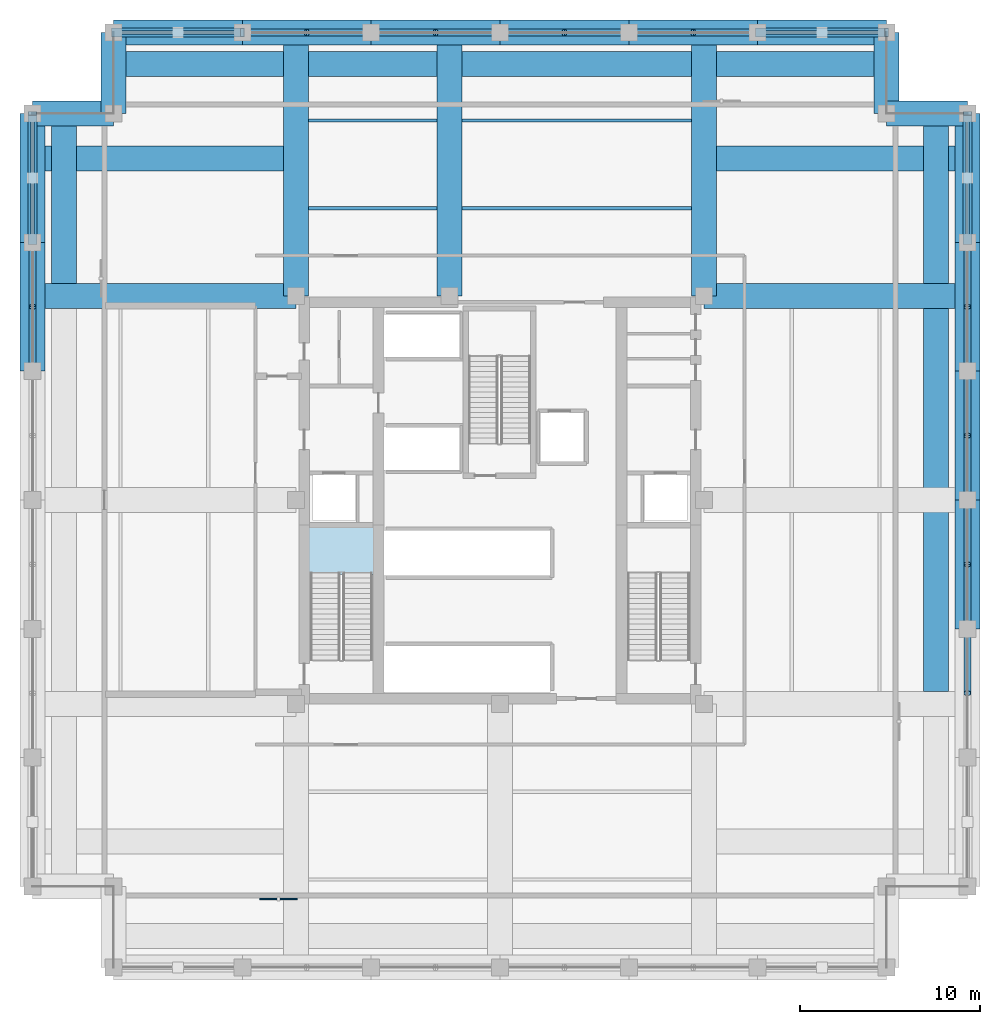
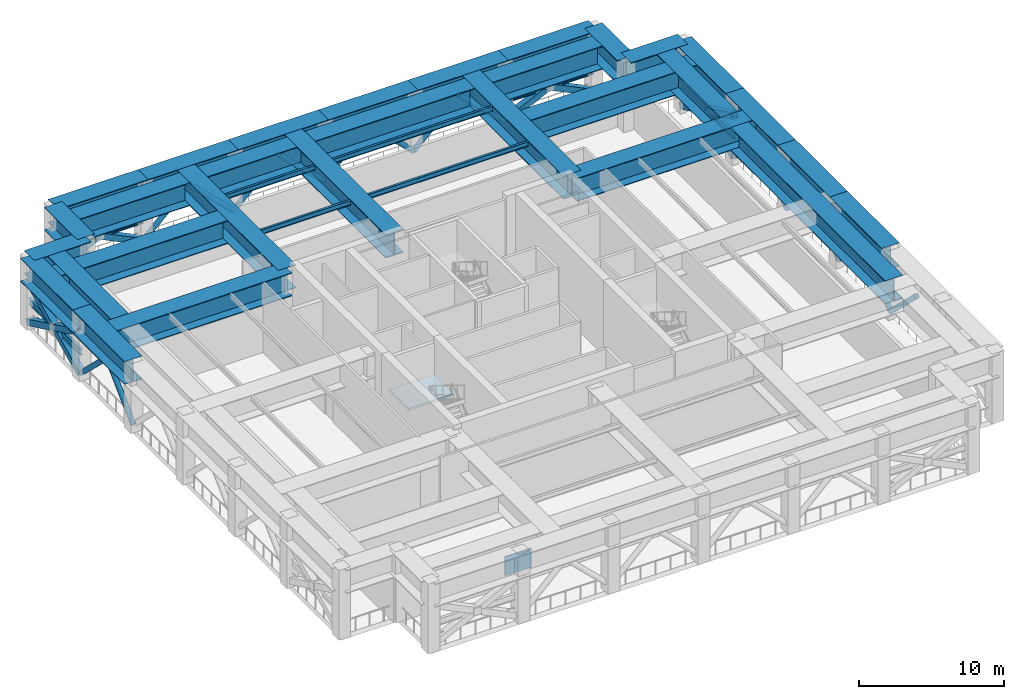
# One storey, part 2 of 12: 37 beams, 29 members, 1 plate, 1 slab, 1 element without a shape of its own.
"""IFC4 building model written with IfcOpenShell, lengths in metres."""

from ifc_helpers import new_model, si_unit, direction, frame, origin, origin_2d, place, context, subcontext, project, spatial, polyline, rectangle, hollow_rectangle, hollow_circle, i_section, outline, extrude, material, layer, layer_set, material_profile, profile_set, type_object, element, aggregate, save


model = new_model("IFC4")

# Units and contexts
model_context = context("Model", 3, precision=1e-05, world=origin(), true_north=direction((0.0, 1.0)))
body_context = subcontext(model_context, "Body", "Model", "MODEL_VIEW")
ifc_project = project(units=[si_unit("LENGTHUNIT", "METRE"), si_unit("AREAUNIT", "SQUARE_METRE"), si_unit("VOLUMEUNIT", "CUBIC_METRE"), si_unit("PLANEANGLEUNIT", "RADIAN"), si_unit("MASSUNIT", "GRAM", prefix="KILO")], contexts=[model_context])

# Site, building, storey
site_placement = place(None, origin())
site = spatial("IfcSite", under=ifc_project, at=site_placement, CompositionType="ELEMENT")
building_placement = place(site_placement, origin())
building = spatial("IfcBuilding", under=site, at=building_placement, Name="Nhamokura Convention Tower", CompositionType="ELEMENT")
storey_placement = place(building_placement, frame((0.0, 0.0, 176.050048828125)))
storey = spatial("IfcBuildingStorey", under=building, at=storey_placement, Name="L43", CompositionType="ELEMENT", Elevation=176.050048828125)

# Beams
ifc_material_1 = material(Name="Steel ASTM A992 Gr 50", Category="steel")
ifc_material_profile_1 = material_profile(ifc_material_1, i_section(OverallWidth=0.177001953125, OverallDepth=0.403076171875, WebThickness=0.007568359375, FlangeThickness=0.010986328125, at=origin_2d()))
ifc_profile_set_1 = profile_set([ifc_material_profile_1], Name="Steel ASTM A992 Gr 50")
beam_type_1 = type_object("IfcBeamType", Name="FloorJoist_W410X53", PredefinedType="JOIST", material=ifc_profile_set_1)
beam_1_placement = place(storey_placement, frame((21.347900390625, 48.2333984375, 5.678466796875), z_axis=(1.0, 0.0, 0.0), x_axis=(0.0, 1.0, 0.0)))
element("IfcBeam", 1, at=beam_1_placement, inside=storey, type_object=beam_type_1, Name="L43 Composite Floor Joist N1A", PredefinedType="JOIST", context=body_context, shape_type="SweptSolid", body=[
    extrude(i_section(OverallWidth=0.177001953125, OverallDepth=0.403076171875, WebThickness=0.007568359375, FlangeThickness=0.010986328125, at=origin_2d()), origin(), (0.0, 0.0, 1.0), 7.154052734375),
])
beam_2_placement = place(storey_placement, frame((29.89794921875, 48.2333984375, 5.678466796875), z_axis=(1.0, 0.0, 0.0), x_axis=(0.0, 1.0, 0.0)))
element("IfcBeam", 2, at=beam_2_placement, inside=storey, type_object=beam_type_1, Name="L43 Composite Floor Joist N1B", PredefinedType="JOIST", context=body_context, shape_type="SweptSolid", body=[
    extrude(i_section(OverallWidth=0.177001953125, OverallDepth=0.403076171875, WebThickness=0.007568359375, FlangeThickness=0.010986328125, at=origin_2d()), origin(), (0.0, 0.0, 1.0), 12.754150390625),
])
beam_3_placement = place(storey_placement, frame((21.347900390625, 53.11669921875, 5.678466796875), z_axis=(1.0, 0.0, 0.0), x_axis=(0.0, 1.0, 0.0)))
element("IfcBeam", 3, at=beam_3_placement, inside=storey, type_object=beam_type_1, Name="L43 Composite Floor Joist N2A", PredefinedType="JOIST", context=body_context, shape_type="SweptSolid", body=[
    extrude(i_section(OverallWidth=0.177001953125, OverallDepth=0.403076171875, WebThickness=0.007568359375, FlangeThickness=0.010986328125, at=origin_2d()), origin(), (0.0, 0.0, 1.0), 7.154052734375),
])
beam_4_placement = place(storey_placement, frame((29.89794921875, 53.11669921875, 5.678466796875), z_axis=(1.0, 0.0, 0.0), x_axis=(0.0, 1.0, 0.0)))
element("IfcBeam", 4, at=beam_4_placement, inside=storey, type_object=beam_type_1, Name="L43 Composite Floor Joist N2B", PredefinedType="JOIST", context=body_context, shape_type="SweptSolid", body=[
    extrude(i_section(OverallWidth=0.177001953125, OverallDepth=0.403076171875, WebThickness=0.007568359375, FlangeThickness=0.010986328125, at=origin_2d()), origin(), (0.0, 0.0, 1.0), 12.754150390625),
])

# Members
ifc_material_2 = material(Name="Steel ASTM A572 Gr 50", Category="steel")
ifc_material_profile_2 = material_profile(ifc_material_2, hollow_rectangle(XDim=0.5, YDim=0.5, WallThickness=0.02490234375, at=origin_2d()))
ifc_profile_set_2 = profile_set([ifc_material_profile_2], Name="Steel ASTM A572 Gr 50")
member_type_1 = type_object("IfcMemberType", Name="OutriggerBrace_HSS500", PredefinedType="BRACE", material=ifc_profile_set_2)
member_1_placement = place(storey_placement, frame((10.5, 58.0, 0.349853515625), z_axis=(0.899558045543, 0.0, 0.436801239352), x_axis=(0.0, 1.0, 0.0)))
element("IfcMember", 5, at=member_1_placement, inside=storey, type_object=member_type_1, Name="L43 Continuous Outrigger Diagonal OUT-N0-1", PredefinedType="BRACE", context=body_context, shape_type="SweptSolid", body=[
    extrude(hollow_rectangle(XDim=0.5, YDim=0.5, WallThickness=0.02490234375, at=origin_2d()), origin(), (0.0, 0.0, 1.0), 7.967041015625),
])
member_2_placement = place(storey_placement, frame((10.5, 58.0, 3.829833984375), z_axis=(0.899552198547, 0.0, -0.436813280578), x_axis=(0.0, 1.0, 0.0)))
element("IfcMember", 6, at=member_2_placement, inside=storey, type_object=member_type_1, Name="L43 Split Outrigger Diagonal OUT-N0-2A", PredefinedType="BRACE", context=body_context, shape_type="SweptSolid", body=[
    extrude(hollow_rectangle(XDim=0.5, YDim=0.5, WallThickness=0.02490234375, at=origin_2d()), origin(), (0.0, 0.0, 1.0), 3.9833984375),
])
member_3_placement = place(storey_placement, frame((14.083251953125, 58.0, 2.08984375), z_axis=(0.899563892055, 0.0, -0.436789198711), x_axis=(0.0, 1.0, 0.0)))
element("IfcMember", 7, at=member_3_placement, inside=storey, type_object=member_type_1, Name="L43 Split Outrigger Diagonal OUT-N0-2B", PredefinedType="BRACE", context=body_context, shape_type="SweptSolid", body=[
    extrude(hollow_rectangle(XDim=0.5, YDim=0.5, WallThickness=0.02490234375, at=origin_2d()), origin(), (0.0, 0.0, 1.0), 3.983642578125),
])
member_4_placement = place(storey_placement, frame((46.333251953125, 58.0, 0.349853515625), z_axis=(0.899558045543, 0.0, 0.436801239352), x_axis=(0.0, 1.0, 0.0)))
element("IfcMember", 8, at=member_4_placement, inside=storey, type_object=member_type_1, Name="L43 Continuous Outrigger Diagonal OUT-N5-1", PredefinedType="BRACE", context=body_context, shape_type="SweptSolid", body=[
    extrude(hollow_rectangle(XDim=0.5, YDim=0.5, WallThickness=0.02490234375, at=origin_2d()), origin(), (0.0, 0.0, 1.0), 7.967041015625),
])
member_5_placement = place(storey_placement, frame((46.333251953125, 58.0, 3.829833984375), z_axis=(0.899563892055, 0.0, -0.436789198711), x_axis=(0.0, 1.0, 0.0)))
element("IfcMember", 9, at=member_5_placement, inside=storey, type_object=member_type_1, Name="L43 Split Outrigger Diagonal OUT-N5-2A", PredefinedType="BRACE", context=body_context, shape_type="SweptSolid", body=[
    extrude(hollow_rectangle(XDim=0.5, YDim=0.5, WallThickness=0.02490234375, at=origin_2d()), origin(), (0.0, 0.0, 1.0), 3.983642578125),
])
member_6_placement = place(storey_placement, frame((49.916748046875, 58.0, 2.08984375), z_axis=(0.899552198547, 0.0, -0.436813280578), x_axis=(0.0, 1.0, 0.0)))
element("IfcMember", 10, at=member_6_placement, inside=storey, type_object=member_type_1, Name="L43 Split Outrigger Diagonal OUT-N5-2B", PredefinedType="BRACE", context=body_context, shape_type="SweptSolid", body=[
    extrude(hollow_rectangle(XDim=0.5, YDim=0.5, WallThickness=0.02490234375, at=origin_2d()), origin(), (0.0, 0.0, 1.0), 3.9833984375),
])
member_7_placement = place(storey_placement, frame((6.0, 46.333251953125, 0.349853515625), z_axis=(0.0, 0.899558045543, 0.436801239352), x_axis=(-1.0, 0.0, 0.0)))
element("IfcMember", 11, at=member_7_placement, inside=storey, type_object=member_type_1, Name="L43 Continuous Outrigger Diagonal OUT-W5-1", PredefinedType="BRACE", context=body_context, shape_type="SweptSolid", body=[
    extrude(hollow_rectangle(XDim=0.5, YDim=0.5, WallThickness=0.02490234375, at=origin_2d()), origin(), (0.0, 0.0, 1.0), 7.967041015625),
])
member_8_placement = place(storey_placement, frame((6.0, 46.333251953125, 3.829833984375), z_axis=(0.0, 0.899563892055, -0.436789198711), x_axis=(-1.0, 0.0, 0.0)))
element("IfcMember", 12, at=member_8_placement, inside=storey, type_object=member_type_1, Name="L43 Split Outrigger Diagonal OUT-W5-2A", PredefinedType="BRACE", context=body_context, shape_type="SweptSolid", body=[
    extrude(hollow_rectangle(XDim=0.5, YDim=0.5, WallThickness=0.02490234375, at=origin_2d()), origin(), (0.0, 0.0, 1.0), 3.983642578125),
])
member_9_placement = place(storey_placement, frame((6.0, 49.916748046875, 2.08984375), z_axis=(0.0, 0.899552198547, -0.436813280578), x_axis=(-1.0, 0.0, 0.0)))
element("IfcMember", 13, at=member_9_placement, inside=storey, type_object=member_type_1, Name="L43 Split Outrigger Diagonal OUT-W5-2B", PredefinedType="BRACE", context=body_context, shape_type="SweptSolid", body=[
    extrude(hollow_rectangle(XDim=0.5, YDim=0.5, WallThickness=0.02490234375, at=origin_2d()), origin(), (0.0, 0.0, 1.0), 3.9833984375),
])
member_10_placement = place(storey_placement, frame((58.0, 46.333251953125, 0.349853515625), z_axis=(0.0, 0.899558045543, 0.436801239352), x_axis=(-1.0, 0.0, 0.0)))
element("IfcMember", 14, at=member_10_placement, inside=storey, type_object=member_type_1, Name="L43 Continuous Outrigger Diagonal OUT-E5-1", PredefinedType="BRACE", context=body_context, shape_type="SweptSolid", body=[
    extrude(hollow_rectangle(XDim=0.5, YDim=0.5, WallThickness=0.02490234375, at=origin_2d()), origin(), (0.0, 0.0, 1.0), 7.967041015625),
])
member_11_placement = place(storey_placement, frame((58.0, 46.333251953125, 3.829833984375), z_axis=(0.0, 0.899563892055, -0.436789198711), x_axis=(-1.0, 0.0, 0.0)))
element("IfcMember", 15, at=member_11_placement, inside=storey, type_object=member_type_1, Name="L43 Split Outrigger Diagonal OUT-E5-2A", PredefinedType="BRACE", context=body_context, shape_type="SweptSolid", body=[
    extrude(hollow_rectangle(XDim=0.5, YDim=0.5, WallThickness=0.02490234375, at=origin_2d()), origin(), (0.0, 0.0, 1.0), 3.983642578125),
])
member_12_placement = place(storey_placement, frame((58.0, 49.916748046875, 2.08984375), z_axis=(0.0, 0.899552198547, -0.436813280578), x_axis=(-1.0, 0.0, 0.0)))
element("IfcMember", 16, at=member_12_placement, inside=storey, type_object=member_type_1, Name="L43 Split Outrigger Diagonal OUT-E5-2B", PredefinedType="BRACE", context=body_context, shape_type="SweptSolid", body=[
    extrude(hollow_rectangle(XDim=0.5, YDim=0.5, WallThickness=0.02490234375, at=origin_2d()), origin(), (0.0, 0.0, 1.0), 3.9833984375),
])

# Beams
ifc_material_3 = material(Name="Steel ASTM A992 Gr 50", Category="steel")
ifc_material_profile_3 = material_profile(ifc_material_3, i_section(OverallWidth=0.208984375, OverallDepth=0.532958984375, WebThickness=0.01025390625, FlangeThickness=0.015625, at=origin_2d()))
ifc_profile_set_3 = profile_set([ifc_material_profile_3], Name="Steel ASTM A992 Gr 50")
beam_type_2 = type_object("IfcBeamType", Name="PrimaryGirder_W530X92", PredefinedType="BEAM", material=ifc_profile_set_3)
for number, where, z_axis, x_axis, name in (
    (17, (10.5, 58.0, 2.08984375), (1.0, 0.0, 0.0), (0.0, 1.0, 0.0), "L43 Outrigger X-Brace Node Tie Beam OUT-N0"),
    (18, (46.333251953125, 58.0, 2.08984375), (1.0, 0.0, 0.0), (0.0, 1.0, 0.0), "L43 Outrigger X-Brace Node Tie Beam OUT-N5"),
    (19, (6.0, 46.333251953125, 2.08984375), (0.0, 1.0, 0.0), (-1.0, 0.0, 0.0), "L43 Outrigger X-Brace Node Tie Beam OUT-W5"),
    (20, (58.0, 46.333251953125, 2.08984375), (0.0, 1.0, 0.0), (-1.0, 0.0, 0.0), "L43 Outrigger X-Brace Node Tie Beam OUT-E5"),
):
    element("IfcBeam", number, at=place(storey_placement, frame(where, z_axis=z_axis, x_axis=x_axis)), inside=storey, type_object=beam_type_2, Name=name, PredefinedType="BEAM", context=body_context, shape_type="SweptSolid", body=[
        extrude(i_section(OverallWidth=0.208984375, OverallDepth=0.532958984375, WebThickness=0.01025390625, FlangeThickness=0.015625, at=origin_2d()), origin(), (0.0, 0.0, 1.0), 7.166748046875),
    ])
ifc_material_4 = material(Name="Steel ASTM A572 Gr 50", Category="steel")
ifc_material_profile_4 = material_profile(ifc_material_4, i_section(OverallWidth=1.39990234375, OverallDepth=1.9599609375, WebThickness=0.054931640625, FlangeThickness=0.06005859375, at=origin_2d()))
ifc_profile_set_4 = profile_set([ifc_material_profile_4], Name="Steel ASTM A572 Gr 50")
beam_type_3 = type_object("IfcBeamType", Name="TransferGirder_2000", PredefinedType="USERDEFINED", material=ifc_profile_set_4)
beam_5_placement = place(storey_placement, frame((10.5, 58.0, 4.89990234375), z_axis=(1.0, 0.0, 0.0), x_axis=(0.0, 1.0, 0.0)))
element("IfcBeam", 21, at=beam_5_placement, inside=storey, type_object=beam_type_3, Name="L43 Perimeter Transfer Spandrel NORTH 1", ObjectType="TRANSFER_GIRDER", PredefinedType="USERDEFINED", context=body_context, shape_type="SweptSolid", body=[
    extrude(i_section(OverallWidth=1.39990234375, OverallDepth=1.9599609375, WebThickness=0.054931640625, FlangeThickness=0.06005859375, at=origin_2d()), origin(), (0.0, 0.0, 1.0), 7.166748046875),
])
beam_6_placement = place(storey_placement, frame((17.666748046875, 58.0, 4.89990234375), z_axis=(1.0, 0.0, 0.0), x_axis=(0.0, 1.0, 0.0)))
element("IfcBeam", 22, at=beam_6_placement, inside=storey, type_object=beam_type_3, Name="L43 Perimeter Transfer Spandrel NORTH 2", ObjectType="TRANSFER_GIRDER", PredefinedType="USERDEFINED", context=body_context, shape_type="SweptSolid", body=[
    extrude(i_section(OverallWidth=1.39990234375, OverallDepth=1.9599609375, WebThickness=0.054931640625, FlangeThickness=0.06005859375, at=origin_2d()), origin(), (0.0, 0.0, 1.0), 7.16650390625),
])
for number, where, z_axis, x_axis, name in (
    (23, (24.833251953125, 58.0, 4.89990234375), (1.0, 0.0, 0.0), (0.0, 1.0, 0.0), "L43 Perimeter Transfer Spandrel NORTH 3"),
    (24, (32.0, 58.0, 4.89990234375), (1.0, 0.0, 0.0), (0.0, 1.0, 0.0), "L43 Perimeter Transfer Spandrel NORTH 4"),
):
    element("IfcBeam", number, at=place(storey_placement, frame(where, z_axis=z_axis, x_axis=x_axis)), inside=storey, type_object=beam_type_3, Name=name, ObjectType="TRANSFER_GIRDER", PredefinedType="USERDEFINED", context=body_context, shape_type="SweptSolid", body=[
        extrude(i_section(OverallWidth=1.39990234375, OverallDepth=1.9599609375, WebThickness=0.054931640625, FlangeThickness=0.06005859375, at=origin_2d()), origin(), (0.0, 0.0, 1.0), 7.166748046875),
    ])
beam_7_placement = place(storey_placement, frame((39.166748046875, 58.0, 4.89990234375), z_axis=(1.0, 0.0, 0.0), x_axis=(0.0, 1.0, 0.0)))
element("IfcBeam", 25, at=beam_7_placement, inside=storey, type_object=beam_type_3, Name="L43 Perimeter Transfer Spandrel NORTH 5", ObjectType="TRANSFER_GIRDER", PredefinedType="USERDEFINED", context=body_context, shape_type="SweptSolid", body=[
    extrude(i_section(OverallWidth=1.39990234375, OverallDepth=1.9599609375, WebThickness=0.054931640625, FlangeThickness=0.06005859375, at=origin_2d()), origin(), (0.0, 0.0, 1.0), 7.16650390625),
])
beam_8_placement = place(storey_placement, frame((46.333251953125, 58.0, 4.89990234375), z_axis=(1.0, 0.0, 0.0), x_axis=(0.0, 1.0, 0.0)))
element("IfcBeam", 26, at=beam_8_placement, inside=storey, type_object=beam_type_3, Name="L43 Perimeter Transfer Spandrel NORTH 6", ObjectType="TRANSFER_GIRDER", PredefinedType="USERDEFINED", context=body_context, shape_type="SweptSolid", body=[
    extrude(i_section(OverallWidth=1.39990234375, OverallDepth=1.9599609375, WebThickness=0.054931640625, FlangeThickness=0.06005859375, at=origin_2d()), origin(), (0.0, 0.0, 1.0), 7.166748046875),
])
beam_9_placement = place(storey_placement, frame((6.0, 39.166748046875, 4.89990234375), z_axis=(0.0, 1.0, 0.0), x_axis=(-1.0, 0.0, 0.0)))
element("IfcBeam", 27, at=beam_9_placement, inside=storey, type_object=beam_type_3, Name="L43 Perimeter Transfer Spandrel WEST 5", ObjectType="TRANSFER_GIRDER", PredefinedType="USERDEFINED", context=body_context, shape_type="SweptSolid", body=[
    extrude(i_section(OverallWidth=1.39990234375, OverallDepth=1.9599609375, WebThickness=0.054931640625, FlangeThickness=0.06005859375, at=origin_2d()), origin(), (0.0, 0.0, 1.0), 7.16650390625),
])
for number, where, z_axis, x_axis, name in (
    (28, (6.0, 46.333251953125, 4.89990234375), (0.0, 1.0, 0.0), (-1.0, 0.0, 0.0), "L43 Perimeter Transfer Spandrel WEST 6"),
    (29, (58.0, 24.833251953125, 4.89990234375), (0.0, 1.0, 0.0), (-1.0, 0.0, 0.0), "L43 Perimeter Transfer Spandrel EAST 3"),
    (30, (58.0, 32.0, 4.89990234375), (0.0, 1.0, 0.0), (-1.0, 0.0, 0.0), "L43 Perimeter Transfer Spandrel EAST 4"),
):
    element("IfcBeam", number, at=place(storey_placement, frame(where, z_axis=z_axis, x_axis=x_axis)), inside=storey, type_object=beam_type_3, Name=name, ObjectType="TRANSFER_GIRDER", PredefinedType="USERDEFINED", context=body_context, shape_type="SweptSolid", body=[
        extrude(i_section(OverallWidth=1.39990234375, OverallDepth=1.9599609375, WebThickness=0.054931640625, FlangeThickness=0.06005859375, at=origin_2d()), origin(), (0.0, 0.0, 1.0), 7.166748046875),
    ])
beam_10_placement = place(storey_placement, frame((58.0, 39.166748046875, 4.89990234375), z_axis=(0.0, 1.0, 0.0), x_axis=(-1.0, 0.0, 0.0)))
element("IfcBeam", 31, at=beam_10_placement, inside=storey, type_object=beam_type_3, Name="L43 Perimeter Transfer Spandrel EAST 5", ObjectType="TRANSFER_GIRDER", PredefinedType="USERDEFINED", context=body_context, shape_type="SweptSolid", body=[
    extrude(i_section(OverallWidth=1.39990234375, OverallDepth=1.9599609375, WebThickness=0.054931640625, FlangeThickness=0.06005859375, at=origin_2d()), origin(), (0.0, 0.0, 1.0), 7.16650390625),
])
beam_11_placement = place(storey_placement, frame((58.0, 46.333251953125, 4.89990234375), z_axis=(0.0, 1.0, 0.0), x_axis=(-1.0, 0.0, 0.0)))
element("IfcBeam", 32, at=beam_11_placement, inside=storey, type_object=beam_type_3, Name="L43 Perimeter Transfer Spandrel EAST 6", ObjectType="TRANSFER_GIRDER", PredefinedType="USERDEFINED", context=body_context, shape_type="SweptSolid", body=[
    extrude(i_section(OverallWidth=1.39990234375, OverallDepth=1.9599609375, WebThickness=0.054931640625, FlangeThickness=0.06005859375, at=origin_2d()), origin(), (0.0, 0.0, 1.0), 7.166748046875),
])
for number, where, z_axis, x_axis, name in (
    (33, (58.0, 53.5, 4.89990234375), (-1.0, 0.0, 0.0), (0.0, -1.0, 0.0), "L43 Notch Transfer Spandrel NE1"),
    (34, (53.5, 53.5, 4.89990234375), (0.0, 1.0, 0.0), (-1.0, 0.0, 0.0), "L43 Notch Transfer Spandrel NE2"),
    (35, (10.5, 58.0, 4.89990234375), (0.0, -1.0, 0.0), (1.0, 0.0, 0.0), "L43 Notch Transfer Spandrel NW1"),
    (36, (10.5, 53.5, 4.89990234375), (-1.0, 0.0, 0.0), (0.0, -1.0, 0.0), "L43 Notch Transfer Spandrel NW2"),
):
    element("IfcBeam", number, at=place(storey_placement, frame(where, z_axis=z_axis, x_axis=x_axis)), inside=storey, type_object=beam_type_3, Name=name, ObjectType="TRANSFER_GIRDER", PredefinedType="USERDEFINED", context=body_context, shape_type="SweptSolid", body=[
        extrude(i_section(OverallWidth=1.39990234375, OverallDepth=1.9599609375, WebThickness=0.054931640625, FlangeThickness=0.06005859375, at=origin_2d()), origin(), (0.0, 0.0, 1.0), 4.5),
    ])
beam_12_placement = place(storey_placement, frame((11.197998046875, 56.25, 4.89990234375), z_axis=(1.0, 0.0, 0.0), x_axis=(0.0, 1.0, 0.0)))
element("IfcBeam", 37, at=beam_12_placement, inside=storey, type_object=beam_type_3, Name="L43 Upper-Line Transfer Girder TGU-NW", ObjectType="TRANSFER_GIRDER", PredefinedType="USERDEFINED", context=body_context, shape_type="SweptSolid", body=[
    extrude(i_section(OverallWidth=1.39990234375, OverallDepth=1.9599609375, WebThickness=0.054931640625, FlangeThickness=0.06005859375, at=origin_2d()), origin(), (0.0, 0.0, 1.0), 8.75390625),
])
beam_13_placement = place(storey_placement, frame((21.347900390625, 56.25, 4.89990234375), z_axis=(1.0, 0.0, 0.0), x_axis=(0.0, 1.0, 0.0)))
element("IfcBeam", 38, at=beam_13_placement, inside=storey, type_object=beam_type_3, Name="L43 Upper-Line Transfer Girder TGU-NM", ObjectType="TRANSFER_GIRDER", PredefinedType="USERDEFINED", context=body_context, shape_type="SweptSolid", body=[
    extrude(i_section(OverallWidth=1.39990234375, OverallDepth=1.9599609375, WebThickness=0.054931640625, FlangeThickness=0.06005859375, at=origin_2d()), origin(), (0.0, 0.0, 1.0), 21.30419921875),
])
for number, where, z_axis, x_axis, name in (
    (39, (44.048095703125, 56.25, 4.89990234375), (1.0, 0.0, 0.0), (0.0, 1.0, 0.0), "L43 Upper-Line Transfer Girder TGU-NE"),
    (40, (7.75, 44.048095703125, 4.89990234375), (0.0, 1.0, 0.0), (-1.0, 0.0, 0.0), "L43 Upper-Line Transfer Girder TGU-WN"),
):
    element("IfcBeam", number, at=place(storey_placement, frame(where, z_axis=z_axis, x_axis=x_axis)), inside=storey, type_object=beam_type_3, Name=name, ObjectType="TRANSFER_GIRDER", PredefinedType="USERDEFINED", context=body_context, shape_type="SweptSolid", body=[
        extrude(i_section(OverallWidth=1.39990234375, OverallDepth=1.9599609375, WebThickness=0.054931640625, FlangeThickness=0.06005859375, at=origin_2d()), origin(), (0.0, 0.0, 1.0), 8.75390625),
    ])
beam_14_placement = place(storey_placement, frame((56.25, 21.347900390625, 4.89990234375), z_axis=(0.0, 1.0, 0.0), x_axis=(-1.0, 0.0, 0.0)))
element("IfcBeam", 41, at=beam_14_placement, inside=storey, type_object=beam_type_3, Name="L43 Upper-Line Transfer Girder TGU-EM", ObjectType="TRANSFER_GIRDER", PredefinedType="USERDEFINED", context=body_context, shape_type="SweptSolid", body=[
    extrude(i_section(OverallWidth=1.39990234375, OverallDepth=1.9599609375, WebThickness=0.054931640625, FlangeThickness=0.06005859375, at=origin_2d()), origin(), (0.0, 0.0, 1.0), 21.30419921875),
])
beam_15_placement = place(storey_placement, frame((56.25, 44.048095703125, 4.89990234375), z_axis=(0.0, 1.0, 0.0), x_axis=(-1.0, 0.0, 0.0)))
element("IfcBeam", 42, at=beam_15_placement, inside=storey, type_object=beam_type_3, Name="L43 Upper-Line Transfer Girder TGU-EN", ObjectType="TRANSFER_GIRDER", PredefinedType="USERDEFINED", context=body_context, shape_type="SweptSolid", body=[
    extrude(i_section(OverallWidth=1.39990234375, OverallDepth=1.9599609375, WebThickness=0.054931640625, FlangeThickness=0.06005859375, at=origin_2d()), origin(), (0.0, 0.0, 1.0), 8.75390625),
])
for number, where, z_axis, x_axis, name in (
    (43, (44.048095703125, 51.0, 4.89990234375), (1.0, 0.0, 0.0), (0.0, 1.0, 0.0), "L43 Upper-Line Transfer Girder TGN-NE0"),
    (44, (6.697998046875, 51.0, 4.89990234375), (1.0, 0.0, 0.0), (0.0, 1.0, 0.0), "L43 Upper-Line Transfer Girder TGN-NW0"),
):
    element("IfcBeam", number, at=place(storey_placement, frame(where, z_axis=z_axis, x_axis=x_axis)), inside=storey, type_object=beam_type_3, Name=name, ObjectType="TRANSFER_GIRDER", PredefinedType="USERDEFINED", context=body_context, shape_type="SweptSolid", body=[
        extrude(i_section(OverallWidth=1.39990234375, OverallDepth=1.9599609375, WebThickness=0.054931640625, FlangeThickness=0.06005859375, at=origin_2d()), origin(), (0.0, 0.0, 1.0), 13.25390625),
    ])
for number, where, z_axis, x_axis, name in (
    (45, (20.64990234375, 43.35009765625, 4.89990234375), (0.0, 1.0, 0.0), (-1.0, 0.0, 0.0), "L43 Primary Floor Girder PG-N1"),
    (46, (29.199951171875, 43.35009765625, 4.89990234375), (0.0, 1.0, 0.0), (-1.0, 0.0, 0.0), "L43 Primary Floor Girder PG-N2"),
    (47, (43.35009765625, 43.35009765625, 4.89990234375), (0.0, 1.0, 0.0), (-1.0, 0.0, 0.0), "L43 Primary Floor Girder PG-N3"),
    (48, (6.0, 43.35009765625, 4.89990234375), (1.0, 0.0, 0.0), (0.0, 1.0, 0.0), "L43 Primary Floor Girder PG-W3"),
    (49, (43.35009765625, 43.35009765625, 4.89990234375), (1.0, 0.0, 0.0), (0.0, 1.0, 0.0), "L43 Primary Floor Girder PG-E3"),
):
    element("IfcBeam", number, at=place(storey_placement, frame(where, z_axis=z_axis, x_axis=x_axis)), inside=storey, type_object=beam_type_3, Name=name, ObjectType="TRANSFER_GIRDER", PredefinedType="USERDEFINED", context=body_context, shape_type="SweptSolid", body=[
        extrude(i_section(OverallWidth=1.39990234375, OverallDepth=1.9599609375, WebThickness=0.054931640625, FlangeThickness=0.06005859375, at=origin_2d()), origin(), (0.0, 0.0, 1.0), 14.64990234375),
    ])

# Members
ifc_material_5 = material(Name="Steel ASTM A572 Gr 50", Category="steel")
ifc_material_profile_5 = material_profile(ifc_material_5, hollow_circle(Radius=0.203125, WallThickness=0.01611328125, at=origin_2d()))
ifc_profile_set_5 = profile_set([ifc_material_profile_5], Name="Steel ASTM A572 Gr 50")
member_type_2 = type_object("IfcMemberType", Name="WindPortalStrut_CHS406", PredefinedType="STRUT", material=ifc_profile_set_5)
for number, where, z_axis, x_axis, name in (
    (50, (17.666748046875, 58.0, 0.349853515625), (0.717368712635, 0.0, 0.696693713286), (0.0, 1.0, 0.0), "L43 Belt Truss Member NORTH 1A"),
    (51, (21.25, 58.0, 3.829833984375), (0.717368712635, 0.0, -0.696693713286), (0.0, 1.0, 0.0), "L43 Belt Truss Member NORTH 1B"),
):
    element("IfcMember", number, at=place(storey_placement, frame(where, z_axis=z_axis, x_axis=x_axis)), inside=storey, type_object=member_type_2, Name=name, PredefinedType="STRUT", context=body_context, shape_type="SweptSolid", body=[
        extrude(hollow_circle(Radius=0.203125, WallThickness=0.01611328125, at=origin_2d()), origin(), (0.0, 0.0, 1.0), 4.994873046875),
    ])
member_13_placement = place(storey_placement, frame((24.833251953125, 58.0, 0.349853515625), z_axis=(0.717392435442, 0.0, 0.696669285652), x_axis=(0.0, 1.0, 0.0)))
element("IfcMember", 52, at=member_13_placement, inside=storey, type_object=member_type_2, Name="L43 Belt Truss Member NORTH 2A", PredefinedType="STRUT", context=body_context, shape_type="SweptSolid", body=[
    extrude(hollow_circle(Radius=0.203125, WallThickness=0.01611328125, at=origin_2d()), origin(), (0.0, 0.0, 1.0), 4.9951171875),
])
for number, where, z_axis, x_axis, name in (
    (53, (28.416748046875, 58.0, 3.829833984375), (0.717368712635, 0.0, -0.696693713286), (0.0, 1.0, 0.0), "L43 Belt Truss Member NORTH 2B"),
    (54, (32.0, 58.0, 0.349853515625), (0.717368712635, 0.0, 0.696693713286), (0.0, 1.0, 0.0), "L43 Belt Truss Member NORTH 3A"),
):
    element("IfcMember", number, at=place(storey_placement, frame(where, z_axis=z_axis, x_axis=x_axis)), inside=storey, type_object=member_type_2, Name=name, PredefinedType="STRUT", context=body_context, shape_type="SweptSolid", body=[
        extrude(hollow_circle(Radius=0.203125, WallThickness=0.01611328125, at=origin_2d()), origin(), (0.0, 0.0, 1.0), 4.994873046875),
    ])
member_14_placement = place(storey_placement, frame((35.583251953125, 58.0, 3.829833984375), z_axis=(0.717392435442, 0.0, -0.696669285652), x_axis=(0.0, 1.0, 0.0)))
element("IfcMember", 55, at=member_14_placement, inside=storey, type_object=member_type_2, Name="L43 Belt Truss Member NORTH 3B", PredefinedType="STRUT", context=body_context, shape_type="SweptSolid", body=[
    extrude(hollow_circle(Radius=0.203125, WallThickness=0.01611328125, at=origin_2d()), origin(), (0.0, 0.0, 1.0), 4.9951171875),
])
for number, where, z_axis, x_axis, name in (
    (56, (39.166748046875, 58.0, 0.349853515625), (0.717368712635, 0.0, 0.696693713286), (0.0, 1.0, 0.0), "L43 Belt Truss Member NORTH 4A"),
    (57, (42.75, 58.0, 3.829833984375), (0.717368712635, 0.0, -0.696693713286), (0.0, 1.0, 0.0), "L43 Belt Truss Member NORTH 4B"),
    (58, (6.0, 39.166748046875, 0.349853515625), (0.0, 0.717368712635, 0.696693713286), (-1.0, 0.0, 0.0), "L43 Belt Truss Member WEST 4A"),
    (59, (6.0, 42.75, 3.829833984375), (0.0, 0.717368712635, -0.696693713286), (-1.0, 0.0, 0.0), "L43 Belt Truss Member WEST 4B"),
    (60, (58.0, 21.25, 3.829833984375), (0.0, 0.717368712635, -0.696693713286), (-1.0, 0.0, 0.0), "L43 Belt Truss Member EAST 1B"),
):
    element("IfcMember", number, at=place(storey_placement, frame(where, z_axis=z_axis, x_axis=x_axis)), inside=storey, type_object=member_type_2, Name=name, PredefinedType="STRUT", context=body_context, shape_type="SweptSolid", body=[
        extrude(hollow_circle(Radius=0.203125, WallThickness=0.01611328125, at=origin_2d()), origin(), (0.0, 0.0, 1.0), 4.994873046875),
    ])
member_15_placement = place(storey_placement, frame((58.0, 24.833251953125, 0.349853515625), z_axis=(0.0, 0.717392435442, 0.696669285652), x_axis=(-1.0, 0.0, 0.0)))
element("IfcMember", 61, at=member_15_placement, inside=storey, type_object=member_type_2, Name="L43 Belt Truss Member EAST 2A", PredefinedType="STRUT", context=body_context, shape_type="SweptSolid", body=[
    extrude(hollow_circle(Radius=0.203125, WallThickness=0.01611328125, at=origin_2d()), origin(), (0.0, 0.0, 1.0), 4.9951171875),
])
for number, where, z_axis, x_axis, name in (
    (62, (58.0, 28.416748046875, 3.829833984375), (0.0, 0.717368712635, -0.696693713286), (-1.0, 0.0, 0.0), "L43 Belt Truss Member EAST 2B"),
    (63, (58.0, 32.0, 0.349853515625), (0.0, 0.717368712635, 0.696693713286), (-1.0, 0.0, 0.0), "L43 Belt Truss Member EAST 3A"),
):
    element("IfcMember", number, at=place(storey_placement, frame(where, z_axis=z_axis, x_axis=x_axis)), inside=storey, type_object=member_type_2, Name=name, PredefinedType="STRUT", context=body_context, shape_type="SweptSolid", body=[
        extrude(hollow_circle(Radius=0.203125, WallThickness=0.01611328125, at=origin_2d()), origin(), (0.0, 0.0, 1.0), 4.994873046875),
    ])
member_16_placement = place(storey_placement, frame((58.0, 35.583251953125, 3.829833984375), z_axis=(0.0, 0.717392435442, -0.696669285652), x_axis=(-1.0, 0.0, 0.0)))
element("IfcMember", 64, at=member_16_placement, inside=storey, type_object=member_type_2, Name="L43 Belt Truss Member EAST 3B", PredefinedType="STRUT", context=body_context, shape_type="SweptSolid", body=[
    extrude(hollow_circle(Radius=0.203125, WallThickness=0.01611328125, at=origin_2d()), origin(), (0.0, 0.0, 1.0), 4.9951171875),
])
for number, where, z_axis, x_axis, name in (
    (65, (58.0, 39.166748046875, 0.349853515625), (0.0, 0.717368712635, 0.696693713286), (-1.0, 0.0, 0.0), "L43 Belt Truss Member EAST 4A"),
    (66, (58.0, 42.75, 3.829833984375), (0.0, 0.717368712635, -0.696693713286), (-1.0, 0.0, 0.0), "L43 Belt Truss Member EAST 4B"),
):
    element("IfcMember", number, at=place(storey_placement, frame(where, z_axis=z_axis, x_axis=x_axis)), inside=storey, type_object=member_type_2, Name=name, PredefinedType="STRUT", context=body_context, shape_type="SweptSolid", body=[
        extrude(hollow_circle(Radius=0.203125, WallThickness=0.01611328125, at=origin_2d()), origin(), (0.0, 0.0, 1.0), 4.994873046875),
    ])

# Plate
ifc_material_6 = material(Name="Anodised bronze aluminium AA6063-T6", Category="aluminium")
ifc_layer_1 = layer(ifc_material_6, 0.0849609375)
ifc_layer_set_1 = layer_set([ifc_layer_1], Name="AcousticLouvrePlate_2")
plate_type = type_object("IfcPlateType", Name="AcousticLouvrePlate_2", PredefinedType="USERDEFINED", material=ifc_layer_set_1)
plate_placement = place(storey_placement, frame((19.679931640625, 9.8173828125, 1.0), z_axis=(0.0, 0.0, 1.0), x_axis=(-1.0, 0.0, 0.0)))
element("IfcPlate", 67, at=plate_placement, inside=storey, type_object=plate_type, Name="L43 Plant Acoustic Louvre S", ObjectType="ACOUSTIC_LOUVRE", PredefinedType="USERDEFINED", context=body_context, shape_type="SweptSolid", body=[
    extrude(rectangle(XDim=2.10009765625, YDim=0.0849609375, at=origin_2d()), origin(), (0.0, 0.0, 1.0), 1.60009765625),
])

# Stair, slab
ifc_material_7 = material(Name="Concrete C40/50", Category="concrete")
stair_type = type_object("IfcStairType", Name="TowerCoreStair_1650", PredefinedType="HALF_TURN_STAIR", material=ifc_material_7)
stair_placement = place(storey_placement, origin())
stair = element("IfcStair", 68, at=stair_placement, inside=storey, type_object=stair_type, Name="L43 West Core Smokeproof Stair ST-01", PredefinedType="HALF_TURN_STAIR")
ifc_material_8 = material(Name="Concrete C40/50", Category="concrete")
ifc_layer_2 = layer(ifc_material_8, 0.199951171875)
ifc_layer_set_2 = layer_set([ifc_layer_2], Name="StairLandingSlab_200")
slab_type = type_object("IfcSlabType", Name="StairLandingSlab_200", PredefinedType="LANDING", material=ifc_layer_set_2)
slab_placement = place(storey_placement, frame((0.0, 0.0, 2.949951171875)))
slab = element("IfcSlab", 69, at=slab_placement, type_object=slab_type, Name="ST-01 landing 1", PredefinedType="LANDING", context=body_context, shape_type="SweptSolid", body=[
    extrude(outline(polyline([(24.97998046875, 27.864990234375), (24.97998046875, 30.530029296875), (21.3701171875, 30.530029296875), (21.3701171875, 27.864990234375), (24.97998046875, 27.864990234375)])), origin(), (0.0, 0.0, 1.0), 0.199951171875),
])
aggregate(stair, [slab])

save(model, "model.ifc")
